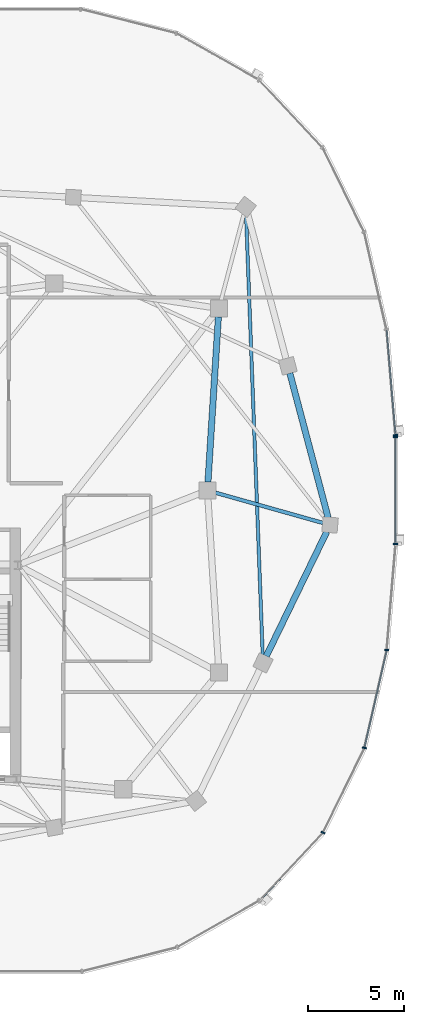
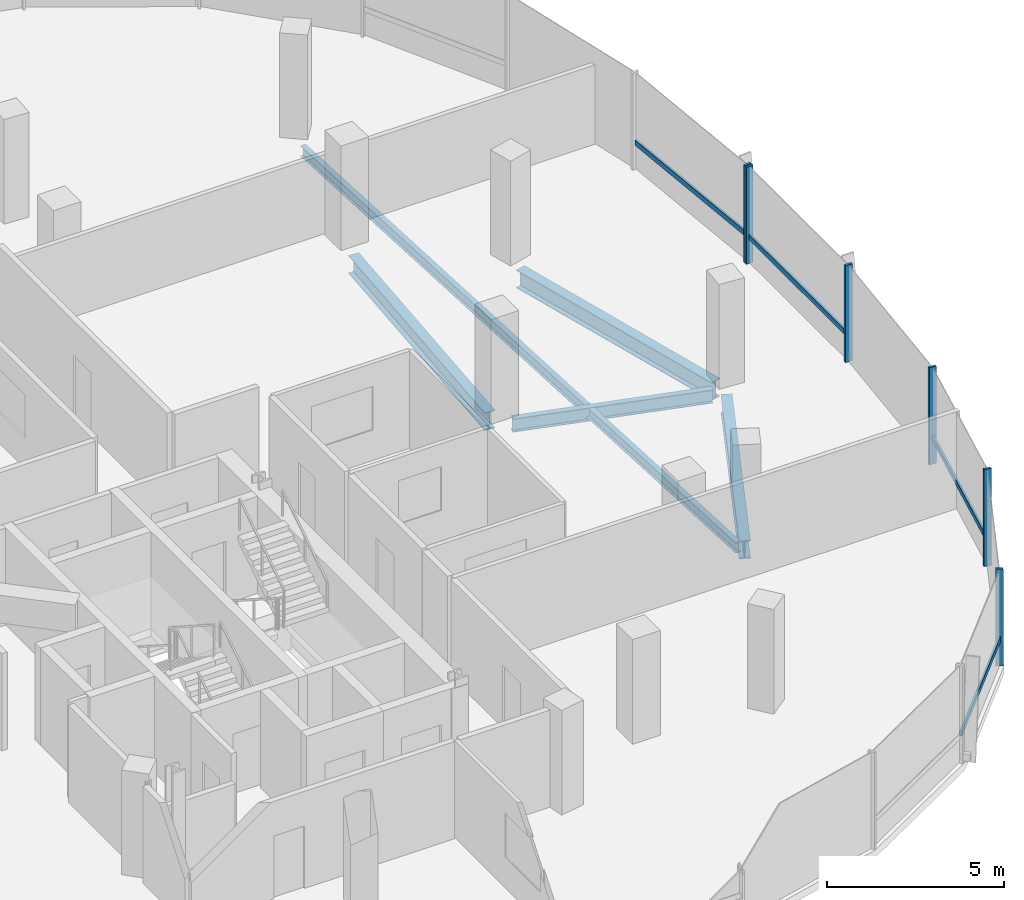
# One storey, part 9 of 25: 10 members, 5 beams, 2 elements without a shape of their own.
"""IFC4 building model written with IfcOpenShell, lengths in metres."""

import ifcopenshell
import ifcopenshell.guid

model = None  # the IFC model being written
_history = None  # IfcOwnerHistory: only IFC2X3 demands one
_inside = {}  # id of a spatial element -> (the spatial element, [elements in it])
_under = {}  # id of a project, library or spatial element -> (it, [spatial elements below it])
_declared = {}  # id of a project -> (the project, [libraries it declares])
_typed = {}  # id of a type object -> (the type object, [elements of that type])
_made_of = {}  # id of a material, layer set ... -> (it, [elements and type objects made of it])


def new_model(schema):
    """Start an empty IFC model of exactly this schema.

    Asked for "IFC4X3", IfcOpenShell would pick the latest addendum, in which some entities
    have other attributes; the version numbers below select the first issue.
    IFC2X3 requires an IfcOwnerHistory on every rooted entity: one is made here for all.
    """
    global model, _history
    if schema == "IFC4X3":
        model = ifcopenshell.file(schema_version=(4, 3, 0, 0))
    else:
        model = ifcopenshell.file(schema=schema)
    _inside.clear()
    _under.clear()
    _declared.clear()
    _typed.clear()
    _made_of.clear()
    _history = None
    if model.schema == "IFC2X3":
        org = make("IfcOrganization", Name="unknown")
        user = make(
            "IfcPersonAndOrganization",
            ThePerson=make("IfcPerson", FamilyName="unknown"),
            TheOrganization=org,
        )
        app = make(
            "IfcApplication",
            ApplicationDeveloper=org,
            Version="unknown",
            ApplicationFullName="unknown",
            ApplicationIdentifier="unknown",
        )
        _history = make(
            "IfcOwnerHistory",
            OwningUser=user,
            OwningApplication=app,
            ChangeAction="ADDED",
            CreationDate=0,
        )
    return model


def make(cls, **values):
    """One entity of the class cls with the attributes given. An attribute that is None is left unset."""
    return model.create_entity(
        cls, **{name: value for name, value in values.items() if value is not None}
    )


def rooted(cls, **values):
    """An entity with a GlobalId (a new one), such as an element, a storey or a relation."""
    return make(cls, GlobalId=ifcopenshell.guid.new(), OwnerHistory=_history, **values)


def si_unit(unit_type, name, prefix=None):
    """IfcSIUnit, for example si_unit("LENGTHUNIT", "METRE", prefix="MILLI")."""
    return make("IfcSIUnit", UnitType=unit_type, Prefix=prefix, Name=name)


def assignment(units):
    """IfcUnitAssignment: the units of a project."""
    return None if units is None else make("IfcUnitAssignment", Units=units)


def point(xyz):
    """IfcCartesianPoint."""
    return None if xyz is None else make("IfcCartesianPoint", Coordinates=xyz)


def direction(xyz):
    """IfcDirection."""
    return None if xyz is None else make("IfcDirection", DirectionRatios=xyz)


def frame(location, z_axis=None, x_axis=None):
    """IfcAxis2Placement3D, a coordinate frame: its origin and axes. An axis left out is left unset."""
    return make(
        "IfcAxis2Placement3D",
        Location=point(location),
        Axis=direction(z_axis),
        RefDirection=direction(x_axis),
    )


def frame_2d(location, x_axis=None):
    """IfcAxis2Placement2D, a coordinate frame in the plane: its origin and x axis."""
    return make(
        "IfcAxis2Placement2D", Location=point(location), RefDirection=direction(x_axis)
    )


def origin():
    """The frame at (0, 0, 0) with its axes left unset."""
    return frame((0.0, 0.0, 0.0))


def origin_2d():
    """The frame at (0, 0) in the plane with its x axis left unset."""
    return frame_2d((0.0, 0.0))


def place(relative_to, where):
    """IfcLocalPlacement: puts the frame where relative to a parent placement (None: the world)."""
    return make(
        "IfcLocalPlacement", PlacementRelTo=relative_to, RelativePlacement=where
    )


def context(
    kind, dimensions, precision=None, world=None, true_north=None, identifier=None
):
    """IfcGeometricRepresentationContext, for example the 3D "Model" context."""
    return make(
        "IfcGeometricRepresentationContext",
        ContextIdentifier=identifier,
        ContextType=kind,
        CoordinateSpaceDimension=dimensions,
        Precision=precision,
        WorldCoordinateSystem=world,
        TrueNorth=true_north,
    )


def subcontext(parent, identifier, kind, view, scale=None):
    """IfcGeometricRepresentationSubContext, for example "Body" below "Model"."""
    return make(
        "IfcGeometricRepresentationSubContext",
        ContextIdentifier=identifier,
        ContextType=kind,
        ParentContext=parent,
        TargetScale=scale,
        TargetView=view,
    )


def project(units=None, contexts=None):
    """IfcProject with its units and contexts."""
    return rooted(
        "IfcProject",
        Name="project",
        RepresentationContexts=contexts,
        UnitsInContext=assignment(units),
    )


def spatial(cls, under=None, at=None, **own):
    """A site, building, storey or space (cls), placed at a placement, below another one or the project."""
    s = rooted(cls, ObjectPlacement=at, **own)
    if under is not None:
        _under.setdefault(under.id(), (under, []))[1].append(s)
    return s


def profile(cls, at=None, kind="AREA", **sizes):
    """A parametric profile (cls). Its sizes go by their IFC names, for example OverallWidth=200.0."""
    return make(cls, ProfileType=kind, Position=at, **sizes)


def rectangle(**sizes):
    """IfcRectangleProfileDef."""
    return profile("IfcRectangleProfileDef", **sizes)


def i_section(**sizes):
    """IfcIShapeProfileDef."""
    return profile("IfcIShapeProfileDef", **sizes)


def extrude(swept, where, along, depth):
    """IfcExtrudedAreaSolid: the profile swept, set in the frame where, extruded along a direction by depth."""
    return make(
        "IfcExtrudedAreaSolid",
        SweptArea=swept,
        Position=where,
        ExtrudedDirection=direction(along),
        Depth=depth,
    )


def shape(context_of_items, identifier, shape_type, items):
    """IfcShapeRepresentation: the items that make up one representation, for example the "Body"."""
    return make(
        "IfcShapeRepresentation",
        ContextOfItems=context_of_items,
        RepresentationIdentifier=identifier,
        RepresentationType=shape_type,
        Items=items,
    )


def material(Name=None, Category=None):
    """IfcMaterial."""
    return make("IfcMaterial", Name=Name, Category=Category)


def material_profile(
    of_material, cross_section, Name=None, Category=None, Priority=None
):
    """IfcMaterialProfile: a cross section and its material."""
    return make(
        "IfcMaterialProfile",
        Name=Name,
        Material=of_material,
        Profile=cross_section,
        Priority=Priority,
        Category=Category,
    )


def profile_set(profiles, Name=None, composite=None):
    """IfcMaterialProfileSet."""
    return make(
        "IfcMaterialProfileSet",
        Name=Name,
        MaterialProfiles=profiles,
        CompositeProfile=composite,
    )


def made_of(thing, what):
    """Note that an element or type object is made of a material, layer set ...; save() writes the relation."""
    if what is not None:
        _made_of.setdefault(what.id(), (what, []))[1].append(thing)
    return thing


def type_object(cls, material=None, **own):
    """A type object (cls), such as IfcWallType, which elements share."""
    return made_of(rooted(cls, **own), material)


def element(
    cls,
    number,
    at=None,
    inside=None,
    cuts=None,
    type_object=None,
    material=None,
    context=None,
    identifier="Body",
    shape_type=None,
    held_by="IfcProductDefinitionShape",
    body=None,
    shapes=None,
    **own,
):
    """One element of the class cls, such as IfcWall. Its Tag is "e" and its number.

    at: its placement. inside: the storey or other place that contains it. cuts: it is an
    opening in that element (IfcRelVoidsElement). A single representation is given by context,
    identifier, shape_type and body (its items); several are given by shapes. held_by: the class
    of the entity that holds the representations. save() writes the other relations.
    """
    e = rooted(cls, Tag="e%d" % number, ObjectPlacement=at, **own)
    if body is not None:
        shapes = [shape(context, identifier, shape_type, body)]
    if shapes is not None:
        e.Representation = make(held_by, Representations=shapes)
    if inside is not None:
        _inside.setdefault(inside.id(), (inside, []))[1].append(e)
    if cuts is not None:
        rooted(
            "IfcRelVoidsElement", RelatingBuildingElement=cuts, RelatedOpeningElement=e
        )
    if type_object is not None:
        _typed.setdefault(type_object.id(), (type_object, []))[1].append(e)
    return made_of(e, material)


def aggregate(whole, parts):
    """IfcRelAggregates: a whole, such as a stair, and the parts it consists of."""
    return rooted("IfcRelAggregates", RelatingObject=whole, RelatedObjects=parts)


def save(model, path):
    """Write the relations noted so far, then the file.

    IfcRelAggregates (storeys below a building ...), IfcRelContainedInSpatialStructure (elements
    in a storey), IfcRelDefinesByType, IfcRelAssociatesMaterial and IfcRelDeclares: one each for
    every whole, place, type object, material and project.
    """
    for whole, parts in _under.values():
        aggregate(whole, parts)
    for where, things in _inside.values():
        rooted(
            "IfcRelContainedInSpatialStructure",
            RelatedElements=things,
            RelatingStructure=where,
        )
    for kind, things in _typed.values():
        rooted("IfcRelDefinesByType", RelatedObjects=things, RelatingType=kind)
    for what, things in _made_of.values():
        rooted("IfcRelAssociatesMaterial", RelatedObjects=things, RelatingMaterial=what)
    for by, libraries in _declared.values():
        rooted("IfcRelDeclares", RelatingContext=by, RelatedDefinitions=libraries)
    model.write(path)


model = new_model("IFC4")

# Units and contexts
model_context = context("Model", 3, precision=1e-05, world=origin(), true_north=direction((0.0, 1.0)))
body_context = subcontext(model_context, "Body", "Model", "MODEL_VIEW")
ifc_project = project(units=[si_unit("LENGTHUNIT", "METRE"), si_unit("AREAUNIT", "SQUARE_METRE"), si_unit("VOLUMEUNIT", "CUBIC_METRE"), si_unit("PLANEANGLEUNIT", "RADIAN"), si_unit("MASSUNIT", "GRAM", prefix="KILO"), si_unit("THERMODYNAMICTEMPERATUREUNIT", "KELVIN"), si_unit("POWERUNIT", "WATT")], contexts=[model_context])

# Site, building, storey
site_placement = place(None, origin())
site = spatial("IfcSite", under=ifc_project, at=site_placement, CompositionType="ELEMENT")
building_placement = place(site_placement, origin())
building = spatial("IfcBuilding", under=site, at=building_placement, Name="Cundina Bronze Exchange", CompositionType="ELEMENT")
storey_placement = place(building_placement, frame((0.0, 0.0, 257.60009765625)))
storey = spatial("IfcBuildingStorey", under=building, at=storey_placement, Name="L68", CompositionType="ELEMENT", Elevation=257.60009765625)

# Beams
ifc_material_1 = material(Name="Steel ASTM A992 Grade 50", Category="steel")
ifc_material_profile_1 = material_profile(ifc_material_1, i_section(OverallWidth=0.19091796875, OverallDepth=0.4599609375, WebThickness=0.010009765625, FlangeThickness=0.01611328125, FilletRadius=0.011962890625, at=origin_2d()), Name="W18X55", Category="steel")
ifc_profile_set_1 = profile_set([ifc_material_profile_1], Name="Steel ASTM A992 Grade 50")
beam_type_1 = type_object("IfcBeamType", Name="BM-FLR-W18B", PredefinedType="BEAM", material=ifc_profile_set_1)
beam_1_placement = place(storey_placement, frame((41.62158203125, -0.11865234375, -0.489990234375), z_axis=(0.962650257113, -0.270748005496, 0.0), x_axis=(0.270748005496, 0.962650257113, 0.0)))
element("IfcBeam", 1, at=beam_1_placement, inside=storey, type_object=beam_type_1, Name="L68 Leg E Chordal Floor Beam 08", PredefinedType="BEAM", context=body_context, shape_type="SweptSolid", body=[
    extrude(i_section(OverallWidth=0.19091796875, OverallDepth=0.4599609375, WebThickness=0.010009765625, FlangeThickness=0.01611328125, FilletRadius=0.011962890625, at=origin_2d()), origin(), (0.0, 0.0, 1.0), 5.822509765625),
])
ifc_material_profile_2 = material_profile(ifc_material_1, i_section(OverallWidth=0.172119140625, OverallDepth=0.35791015625, WebThickness=0.0078125, FlangeThickness=0.01318359375, FilletRadius=0.010009765625, at=origin_2d()), Name="W14X38", Category="steel")
ifc_profile_set_2 = profile_set([ifc_material_profile_2], Name="Steel ASTM A992 Grade 50")
beam_type_2 = type_object("IfcBeamType", Name="BM-JST-W14", PredefinedType="JOIST", material=ifc_profile_set_2)
beam_2_placement = place(storey_placement, frame((44.085205078125, -8.6123046875, -0.439208984375), z_axis=(-0.037784872152, 0.999285896746, 0.0), x_axis=(-0.999285896746, -0.037784872152, 0.0)))
element("IfcBeam", 2, at=beam_2_placement, inside=storey, type_object=beam_type_2, Name="L68 Leg E Lobe Floor Joist 07-10", PredefinedType="JOIST", context=body_context, shape_type="SweptSolid", body=[
    extrude(i_section(OverallWidth=0.172119140625, OverallDepth=0.35791015625, WebThickness=0.0078125, FlangeThickness=0.01318359375, FilletRadius=0.010009765625, at=origin_2d()), origin(), (0.0, 0.0, 1.0), 23.041015625),
])
ifc_material_profile_3 = material_profile(ifc_material_1, i_section(OverallWidth=0.324951171875, OverallDepth=0.615966796875, WebThickness=0.013916015625, FlangeThickness=0.021484375, FilletRadius=0.01611328125, at=origin_2d()), Name="W24X117", Category="steel")
ifc_profile_set_3 = profile_set([ifc_material_profile_3], Name="Steel ASTM A992 Grade 50")
beam_type_3 = type_object("IfcBeamType", Name="BM-RING-W24", PredefinedType="USERDEFINED", material=ifc_profile_set_3)
beam_3_placement = place(storey_placement, frame((41.2275390625, 0.43701171875, -0.568115234375), z_axis=(0.063046519736, 0.998010589297, 0.0), x_axis=(-0.998010589297, 0.063046519736, 0.0)))
element("IfcBeam", 3, at=beam_3_placement, inside=storey, type_object=beam_type_3, Name="L68 E Inner Structural Ring Girder 04", ObjectType="GIRDER", PredefinedType="USERDEFINED", context=body_context, shape_type="SweptSolid", body=[
    extrude(i_section(OverallWidth=0.324951171875, OverallDepth=0.615966796875, WebThickness=0.013916015625, FlangeThickness=0.021484375, FilletRadius=0.01611328125, at=origin_2d()), origin(), (0.0, 0.0, 1.0), 8.64306640625),
])
beam_4_placement = place(storey_placement, frame((44.26953125, -8.65087890625, -0.568115234375), z_axis=(0.437216986791, 0.899356050995, 0.0), x_axis=(-0.899356050995, 0.437216986791, 0.0)))
element("IfcBeam", 4, at=beam_4_placement, inside=storey, type_object=beam_type_3, Name="L68 E Perimeter Ring Girder 07", ObjectType="GIRDER", PredefinedType="USERDEFINED", context=body_context, shape_type="SweptSolid", body=[
    extrude(i_section(OverallWidth=0.324951171875, OverallDepth=0.615966796875, WebThickness=0.013916015625, FlangeThickness=0.021484375, FilletRadius=0.01611328125, at=origin_2d()), origin(), (0.0, 0.0, 1.0), 7.2294921875),
])
beam_5_placement = place(storey_placement, frame((47.50048828125, -1.425048828125, -0.568115234375), z_axis=(-0.256183793797, 0.966628089699, 0.0), x_axis=(-0.966628089699, -0.256183793797, 0.0)))
element("IfcBeam", 5, at=beam_5_placement, inside=storey, type_object=beam_type_3, Name="L68 E Perimeter Ring Girder 08", ObjectType="GIRDER", PredefinedType="USERDEFINED", context=body_context, shape_type="SweptSolid", body=[
    extrude(i_section(OverallWidth=0.324951171875, OverallDepth=0.615966796875, WebThickness=0.013916015625, FlangeThickness=0.021484375, FilletRadius=0.01611328125, at=origin_2d()), origin(), (0.0, 0.0, 1.0), 7.810791015625),
])

# Curtain wall, member
ifc_material_2 = material(Name="Anodised Bronze Aluminium 6063-T6", Category="aluminium")
curtain_wall_type = type_object("IfcCurtainWallType", Name="CWS-SKG-BRG", PredefinedType="NOTDEFINED", material=ifc_material_2)
curtain_wall_1_placement = place(storey_placement, origin())
curtain_wall_1 = element("IfcCurtainWall", 6, at=curtain_wall_1_placement, inside=storey, type_object=curtain_wall_type, Name="L68 CW-06 Curtain Wall Run CWR-L68-E1", PredefinedType="NOTDEFINED")
ifc_material_profile_4 = material_profile(ifc_material_2, rectangle(XDim=0.074951171875, YDim=0.219970703125, at=origin_2d()), Name="AL75X220", Category="aluminium")
ifc_profile_set_4 = profile_set([ifc_material_profile_4], Name="Anodised Bronze Aluminium 6063-T6")
member_type_1 = type_object("IfcMemberType", Name="CWM-MUL-220", PredefinedType="MULLION", material=ifc_profile_set_4)
member_1_placement = place(storey_placement, frame((51.01513671875, 2.885498046875, 0.0), z_axis=(0.0, 0.0, 1.0), x_axis=(-0.083677843332, 0.99649285925, 0.0)))
member_1 = element("IfcMember", 7, at=member_1_placement, type_object=member_type_1, Name="CW-06 Mullion 1", PredefinedType="MULLION", context=body_context, shape_type="SweptSolid", body=[
    extrude(rectangle(XDim=0.074951171875, YDim=0.219970703125, at=origin_2d()), origin(), (0.0, 0.0, 1.0), 3.33984375),
])

# Curtain wall, members
curtain_wall_2_placement = place(storey_placement, origin())
curtain_wall_2 = element("IfcCurtainWall", 8, at=curtain_wall_2_placement, inside=storey, type_object=curtain_wall_type, Name="L68 CW-06 Curtain Wall Run CWR-L68-E4", PredefinedType="NOTDEFINED")
member_2_placement = place(storey_placement, frame((47.2333984375, -17.856689453125, 0.0), z_axis=(0.0, 0.0, 1.0), x_axis=(0.440566004113, 0.897720221461, 0.0)))
member_2 = element("IfcMember", 9, at=member_2_placement, type_object=member_type_1, Name="CW-06 Mullion 2", PredefinedType="MULLION", context=body_context, shape_type="SweptSolid", body=[
    extrude(rectangle(XDim=0.074951171875, YDim=0.219970703125, at=origin_2d()), origin(), (0.0, 0.0, 1.0), 3.33984375),
])
member_3_placement = place(storey_placement, frame((49.39404296875, -13.433837890625, 0.0), z_axis=(0.0, 0.0, 1.0), x_axis=(0.223250116011, 0.974761194191, 0.0)))
member_3 = element("IfcMember", 10, at=member_3_placement, type_object=member_type_1, Name="CW-06 Mullion 3", PredefinedType="MULLION", context=body_context, shape_type="SweptSolid", body=[
    extrude(rectangle(XDim=0.074951171875, YDim=0.219970703125, at=origin_2d()), origin(), (0.0, 0.0, 1.0), 3.33984375),
])
member_4_placement = place(storey_placement, frame((50.557861328125, -8.32568359375, 0.0), z_axis=(0.0, 0.0, 1.0), x_axis=(0.083677843332, 0.99649285925, 0.0)))
member_4 = element("IfcMember", 11, at=member_4_placement, type_object=member_type_1, Name="CW-06 Mullion 4", PredefinedType="MULLION", context=body_context, shape_type="SweptSolid", body=[
    extrude(rectangle(XDim=0.074951171875, YDim=0.219970703125, at=origin_2d()), origin(), (0.0, 0.0, 1.0), 3.33984375),
])
member_5_placement = place(storey_placement, frame((51.01904296875, -2.79150390625, 0.0), z_axis=(0.0, 0.0, 1.0), x_axis=(0.0, 1.0, 0.0)))
member_5 = element("IfcMember", 12, at=member_5_placement, type_object=member_type_1, Name="CW-06 Mullion 5", PredefinedType="MULLION", context=body_context, shape_type="SweptSolid", body=[
    extrude(rectangle(XDim=0.074951171875, YDim=0.219970703125, at=origin_2d()), origin(), (0.0, 0.0, 1.0), 3.33984375),
])
member_6_placement = place(storey_placement, frame((51.01904296875, 2.79150390625, 0.0), z_axis=(0.0, 0.0, 1.0), x_axis=(0.0, 1.0, 0.0)))
member_6 = element("IfcMember", 13, at=member_6_placement, type_object=member_type_1, Name="CW-06 End Mullion", PredefinedType="MULLION", context=body_context, shape_type="SweptSolid", body=[
    extrude(rectangle(XDim=0.074951171875, YDim=0.219970703125, at=origin_2d()), origin(), (0.0, 0.0, 1.0), 3.33984375),
])

# Member
ifc_material_profile_5 = material_profile(ifc_material_2, rectangle(XDim=0.070068359375, YDim=0.179931640625, at=origin_2d()), Name="AL70X180", Category="aluminium")
ifc_profile_set_5 = profile_set([ifc_material_profile_5], Name="Anodised Bronze Aluminium 6063-T6")
member_type_2 = type_object("IfcMemberType", Name="CWM-TRN-180", PredefinedType="USERDEFINED", material=ifc_profile_set_5)
member_7_placement = place(storey_placement, frame((51.01171875, 2.926513671875, 0.919921875), z_axis=(-0.083756005485, 0.996486292703, 0.0), x_axis=(-0.996486292703, -0.083756005485, 0.0)))
member_7 = element("IfcMember", 14, at=member_7_placement, type_object=member_type_2, Name="CW-06 Spandrel Transom 1", ObjectType="TRANSOM", PredefinedType="USERDEFINED", context=body_context, shape_type="SweptSolid", body=[
    extrude(rectangle(XDim=0.070068359375, YDim=0.179931640625, at=origin_2d()), origin(), (0.0, 0.0, 1.0), 5.459716796875),
])

aggregate(curtain_wall_1, [member_1, member_7])

member_8_placement = place(storey_placement, frame((43.968505859375, -21.349609375, 0.919921875), z_axis=(0.684328474899, 0.729173873944, 0.0), x_axis=(-0.729173873944, 0.684328474899, 0.0)))
member_8 = element("IfcMember", 15, at=member_8_placement, type_object=member_type_2, Name="CW-06 Spandrel Transom 1", ObjectType="TRANSOM", PredefinedType="USERDEFINED", context=body_context, shape_type="SweptSolid", body=[
    extrude(rectangle(XDim=0.070068359375, YDim=0.179931640625, at=origin_2d()), origin(), (0.0, 0.0, 1.0), 4.758056640625),
])

member_9_placement = place(storey_placement, frame((49.4033203125, -13.3935546875, 0.919921875), z_axis=(0.223257048806, 0.974759606343, 0.0), x_axis=(-0.974759606343, 0.223257048806, 0.0)))
member_9 = element("IfcMember", 16, at=member_9_placement, type_object=member_type_2, Name="CW-06 Spandrel Transom 3", ObjectType="TRANSOM", PredefinedType="USERDEFINED", context=body_context, shape_type="SweptSolid", body=[
    extrude(rectangle(XDim=0.070068359375, YDim=0.179931640625, at=origin_2d()), origin(), (0.0, 0.0, 1.0), 5.15283203125),
])

member_10_placement = place(storey_placement, frame((51.01904296875, -2.750244140625, 0.919921875), z_axis=(0.0, 1.0, 0.0), x_axis=(-1.0, 0.0, 0.0)))
member_10 = element("IfcMember", 17, at=member_10_placement, type_object=member_type_2, Name="CW-06 Spandrel Transom 5", ObjectType="TRANSOM", PredefinedType="USERDEFINED", context=body_context, shape_type="SweptSolid", body=[
    extrude(rectangle(XDim=0.070068359375, YDim=0.179931640625, at=origin_2d()), origin(), (0.0, 0.0, 1.0), 5.50048828125),
])

aggregate(curtain_wall_2, [member_8, member_2, member_3, member_9, member_4, member_5, member_6, member_10])

save(model, "model.ifc")
